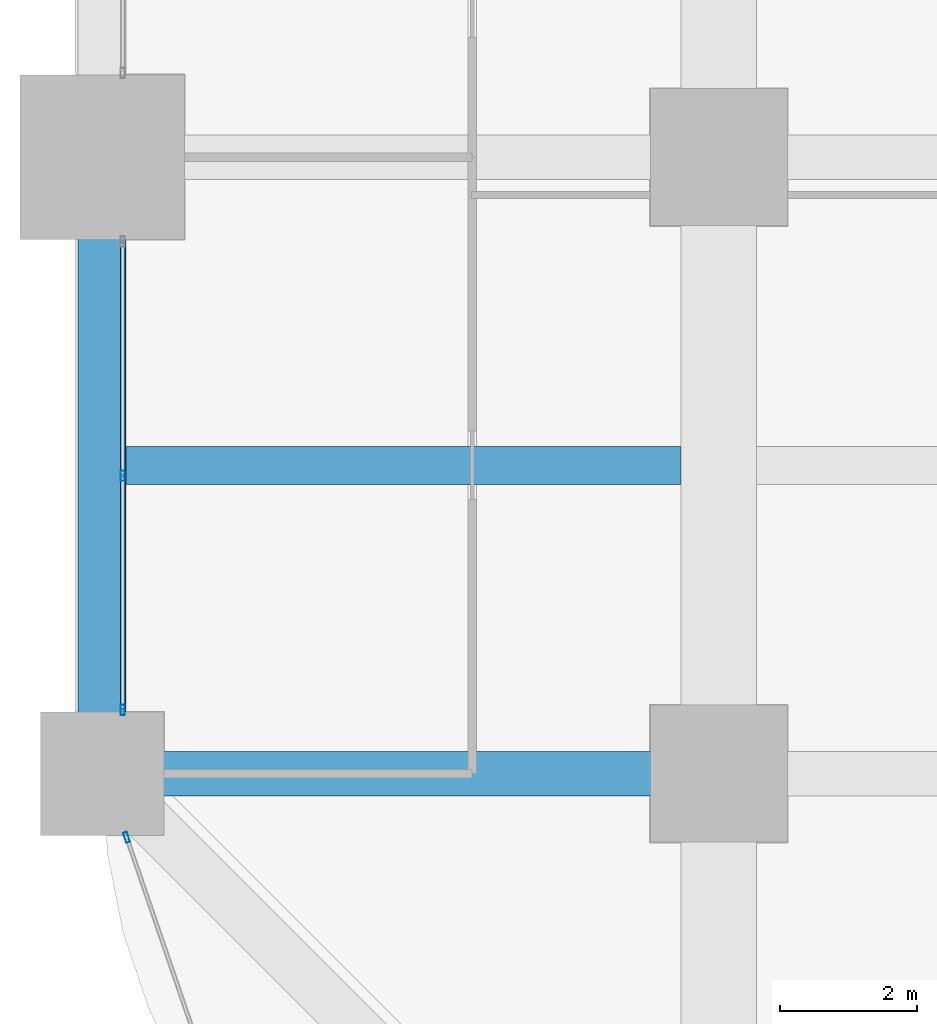
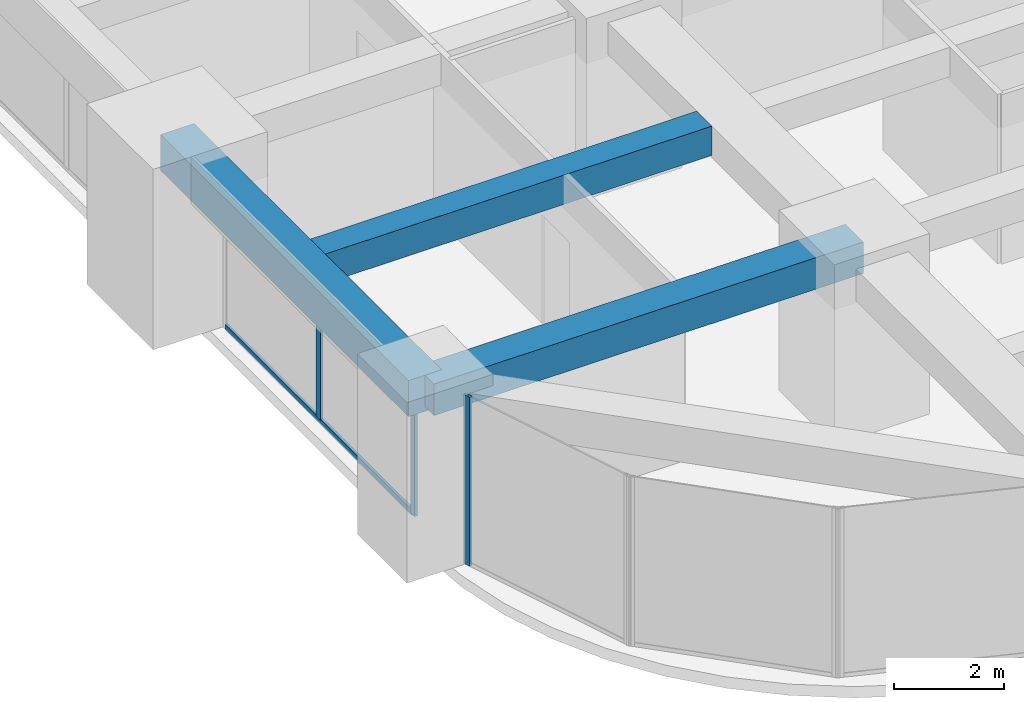
# One storey, part 4 of 41: 4 members, 3 beams, 2 elements without a shape of their own.
"""IFC4 building model written with IfcOpenShell, lengths in metres."""

from ifc_helpers import new_model, si_unit, direction, frame, origin, origin_2d, place, context, subcontext, project, spatial, rectangle, hollow_rectangle, extrude, material, material_profile, profile_set, type_object, element, aggregate, save


model = new_model("IFC4")

# Units and contexts
model_context = context("Model", 3, precision=1e-05, world=origin(), true_north=direction((0.0, 1.0)))
body_context = subcontext(model_context, "Body", "Model", "MODEL_VIEW")
ifc_project = project(units=[si_unit("LENGTHUNIT", "METRE"), si_unit("AREAUNIT", "SQUARE_METRE"), si_unit("VOLUMEUNIT", "CUBIC_METRE"), si_unit("PLANEANGLEUNIT", "RADIAN"), si_unit("MASSUNIT", "GRAM", prefix="KILO")], contexts=[model_context])

# Site, building, storey
site_placement = place(None, origin())
site = spatial("IfcSite", under=ifc_project, at=site_placement, CompositionType="ELEMENT")
building_placement = place(site_placement, origin())
building = spatial("IfcBuilding", under=site, at=building_placement, Name="Zorevar Civic Tower", CompositionType="ELEMENT")
storey_placement = place(building_placement, frame((0.0, 0.0, 113.0)))
storey = spatial("IfcBuildingStorey", under=building, at=storey_placement, Name="L27", CompositionType="ELEMENT", Elevation=113.0)

# Beams
ifc_material_1 = material(Name="Concrete C50/60", Category="concrete")
ifc_material_profile_1 = material_profile(ifc_material_1, rectangle(XDim=0.550048828125, YDim=0.64990234375, at=origin_2d()), Name="RC 550x650")
ifc_profile_set_1 = profile_set([ifc_material_profile_1], Name="Concrete C50/60")
beam_type_1 = type_object("IfcBeamType", Name="Beam RC 550x650", PredefinedType="BEAM", material=ifc_profile_set_1)
beam_1_placement = place(storey_placement, frame((0.35009765625, 13.5, 3.425048828125), z_axis=(1.0, 0.0, 0.0), x_axis=(0.0, 1.0, 0.0)))
element("IfcBeam", 1, at=beam_1_placement, inside=storey, type_object=beam_type_1, Name="Secondary beam L28", PredefinedType="BEAM", context=body_context, shape_type="SweptSolid", body=[
    extrude(rectangle(XDim=0.550048828125, YDim=0.64990234375, at=origin_2d()), origin(), (0.0, 0.0, 1.0), 8.099853515625),
])
ifc_material_2 = material(Name="Concrete C50/60", Category="concrete")
ifc_material_profile_2 = material_profile(ifc_material_2, rectangle(XDim=0.64990234375, YDim=0.699951171875, at=origin_2d()), Name="RC 650x700")
ifc_profile_set_2 = profile_set([ifc_material_profile_2], Name="Concrete C50/60")
beam_type_2 = type_object("IfcBeamType", Name="Beam RC 650x700", PredefinedType="BEAM", material=ifc_profile_set_2)
beam_2_placement = place(storey_placement, frame((0.0, 9.0, 3.39990234375), z_axis=(1.0, 0.0, 0.0), x_axis=(0.0, 1.0, 0.0)))
element("IfcBeam", 2, at=beam_2_placement, inside=storey, type_object=beam_type_2, Name="Girder L28", PredefinedType="BEAM", context=body_context, shape_type="SweptSolid", body=[
    extrude(rectangle(XDim=0.64990234375, YDim=0.699951171875, at=origin_2d()), origin(), (0.0, 0.0, 1.0), 9.0),
])

# Curtain wall, members
ifc_material_3 = material(Name="Dark grey solar-control glass in black aluminium frame", Category="aluminium")
curtain_wall_type = type_object("IfcCurtainWallType", Name="Curtain wall CW3 mid zone", PredefinedType="NOTDEFINED", material=ifc_material_3)
curtain_wall_1_placement = place(storey_placement, origin())
curtain_wall_1 = element("IfcCurtainWall", 3, at=curtain_wall_1_placement, inside=storey, type_object=curtain_wall_type, Name="CW3 L27", PredefinedType="NOTDEFINED")
ifc_material_4 = material(Name="Aluminium, black anodised", Category="aluminium")
ifc_material_profile_3 = material_profile(ifc_material_4, hollow_rectangle(XDim=0.06005859375, YDim=0.14990234375, WallThickness=0.00390625, at=origin_2d()), Name="AL 150x60x4")
ifc_profile_set_3 = profile_set([ifc_material_profile_3], Name="Aluminium, black anodised")
member_type_1 = type_object("IfcMemberType", Name="CW3 mullion AL 150x60x4", PredefinedType="MULLION", material=ifc_profile_set_3)
member_1_placement = place(storey_placement, frame((0.300048828125, 9.929931640625, 0.0), z_axis=(0.0, 0.0, 1.0), x_axis=(-1.0, 0.0, 0.0)))
member_1 = element("IfcMember", 4, at=member_1_placement, type_object=member_type_1, Name="CW3 mullion 1", PredefinedType="MULLION", context=body_context, shape_type="SweptSolid", body=[
    extrude(hollow_rectangle(XDim=0.06005859375, YDim=0.14990234375, WallThickness=0.00390625, at=origin_2d()), origin(), (0.0, 0.0, 1.0), 2.949951171875),
])
member_2_placement = place(storey_placement, frame((0.300048828125, 13.35009765625, 0.06005859375), z_axis=(0.0, 0.0, 1.0), x_axis=(-1.0, 0.0, 0.0)))
member_2 = element("IfcMember", 5, at=member_2_placement, type_object=member_type_1, Name="CW3 mullion 2", PredefinedType="MULLION", context=body_context, shape_type="SweptSolid", body=[
    extrude(hollow_rectangle(XDim=0.06005859375, YDim=0.14990234375, WallThickness=0.00390625, at=origin_2d()), origin(), (0.0, 0.0, 1.0), 2.889892578125),
])

# Curtain wall, member
curtain_wall_2_placement = place(storey_placement, origin())
curtain_wall_2 = element("IfcCurtainWall", 6, at=curtain_wall_2_placement, inside=storey, type_object=curtain_wall_type, Name="CW3 L27", PredefinedType="NOTDEFINED")
member_3_placement = place(storey_placement, frame((0.3564453125, 8.071533203125, 0.0), z_axis=(0.0, 0.0, 1.0), x_axis=(0.945755772794, 0.324878466857, 0.0)))
member_3 = element("IfcMember", 7, at=member_3_placement, type_object=member_type_1, Name="CW3 mullion 1", PredefinedType="MULLION", context=body_context, shape_type="SweptSolid", body=[
    extrude(hollow_rectangle(XDim=0.06005859375, YDim=0.14990234375, WallThickness=0.00390625, at=origin_2d()), origin(), (0.0, 0.0, 1.0), 3.75),
])
aggregate(curtain_wall_2, [member_3])

# Member
ifc_material_5 = material(Name="Aluminium, black anodised", Category="aluminium")
ifc_material_profile_4 = material_profile(ifc_material_5, hollow_rectangle(XDim=0.06005859375, YDim=0.1201171875, WallThickness=0.0029296875, at=origin_2d()), Name="AL 120x60x3")
ifc_profile_set_4 = profile_set([ifc_material_profile_4], Name="Aluminium, black anodised")
member_type_2 = type_object("IfcMemberType", Name="CW3 transom AL 120x60x3", PredefinedType="USERDEFINED", material=ifc_profile_set_4)
member_4_placement = place(storey_placement, frame((0.300048828125, 9.9599609375, 0.030029296875), z_axis=(0.0, 1.0, 0.0), x_axis=(-1.0, 0.0, 0.0)))
member_4 = element("IfcMember", 8, at=member_4_placement, type_object=member_type_2, Name="CW3 sill transom", ObjectType="TRANSOM", PredefinedType="USERDEFINED", context=body_context, shape_type="SweptSolid", body=[
    extrude(hollow_rectangle(XDim=0.06005859375, YDim=0.1201171875, WallThickness=0.0029296875, at=origin_2d()), origin(), (0.0, 0.0, 1.0), 6.780029296875),
])

aggregate(curtain_wall_1, [member_1, member_2, member_4])

# Beam
ifc_material_6 = material(Name="Concrete C50/60", Category="concrete")
ifc_material_profile_5 = material_profile(ifc_material_6, rectangle(XDim=0.699951171875, YDim=0.800048828125, at=origin_2d()), Name="RC 700x800")
ifc_profile_set_5 = profile_set([ifc_material_profile_5], Name="Concrete C50/60")
beam_type_3 = type_object("IfcBeamType", Name="Edge beam RC 700x800", PredefinedType="SPANDREL", material=ifc_profile_set_5)
beam_3_placement = place(storey_placement, frame((0.0, 9.0, 3.35009765625), z_axis=(0.0, 1.0, 0.0), x_axis=(-1.0, 0.0, 0.0)))
element("IfcBeam", 9, at=beam_3_placement, inside=storey, type_object=beam_type_3, Name="Edge beam L28", PredefinedType="SPANDREL", context=body_context, shape_type="SweptSolid", body=[
    extrude(rectangle(XDim=0.699951171875, YDim=0.800048828125, at=origin_2d()), origin(), (0.0, 0.0, 1.0), 9.0),
])

save(model, "model.ifc")
